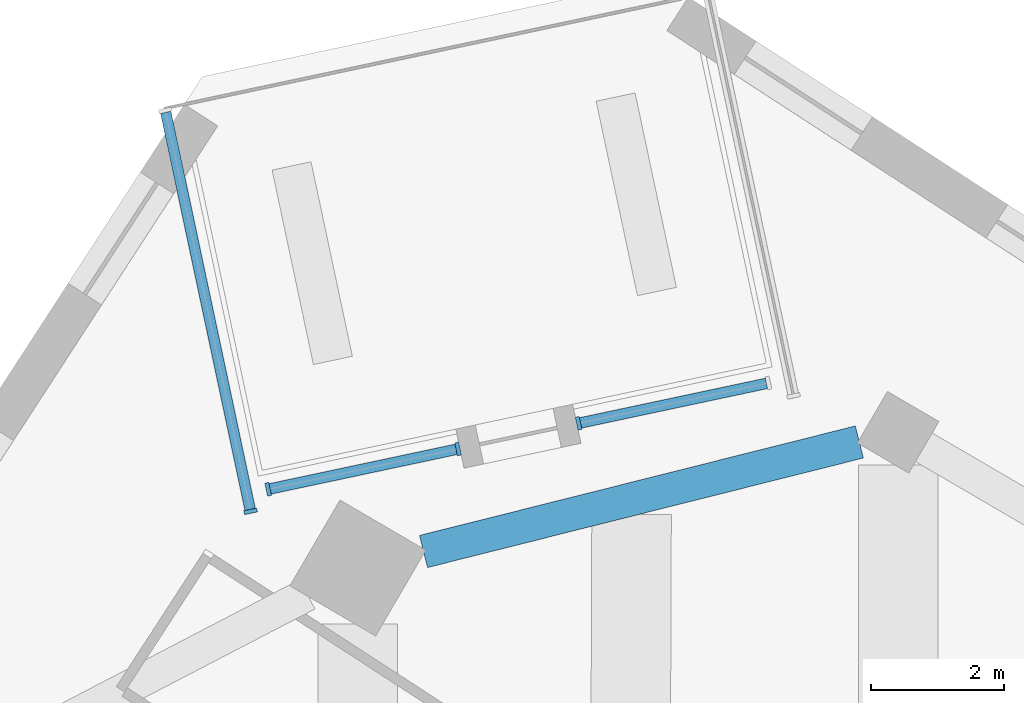
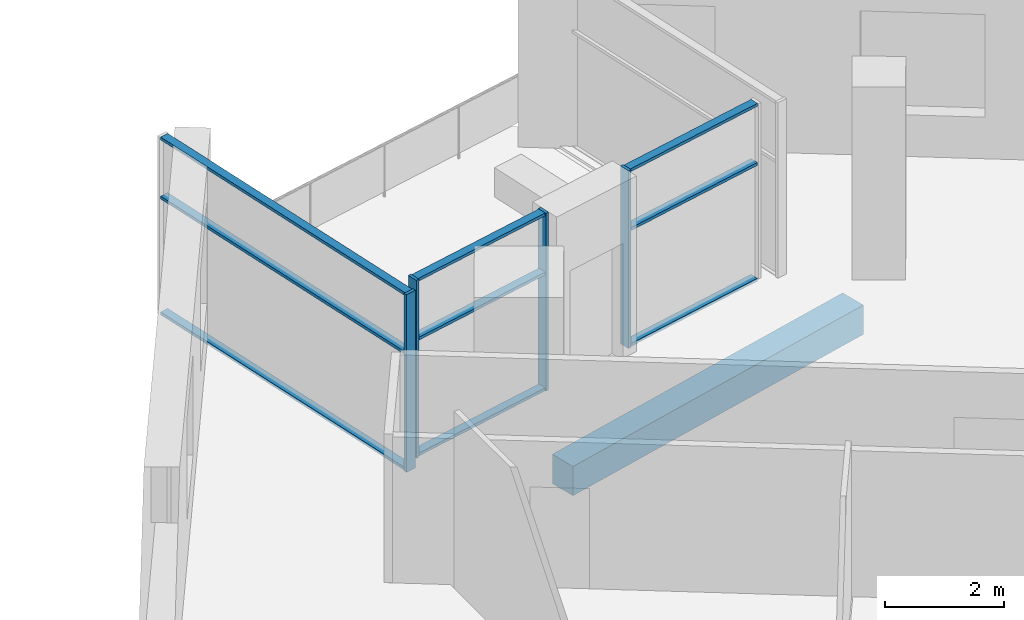
# One storey, part 2 of 12: 13 members, 1 beam, 3 elements without a shape of their own.
"""IFC4 building model written with IfcOpenShell, lengths in metres."""

from ifc_helpers import new_model, si_unit, direction, frame, origin, origin_2d, place, context, subcontext, project, spatial, rectangle, extrude, material, material_profile, profile_set, type_object, element, aggregate, save


model = new_model("IFC4")

# Units and contexts
model_context = context("Model", 3, precision=1e-05, world=origin(), true_north=direction((0.0, 1.0)))
body_context = subcontext(model_context, "Body", "Model", "MODEL_VIEW")
ifc_project = project(units=[si_unit("LENGTHUNIT", "METRE"), si_unit("AREAUNIT", "SQUARE_METRE"), si_unit("VOLUMEUNIT", "CUBIC_METRE"), si_unit("PLANEANGLEUNIT", "RADIAN"), si_unit("MASSUNIT", "GRAM", prefix="KILO")], contexts=[model_context])

# Site, building, storey
site_placement = place(None, origin())
site = spatial("IfcSite", under=ifc_project, at=site_placement, CompositionType="ELEMENT")
building_placement = place(site_placement, origin())
building = spatial("IfcBuilding", under=site, at=building_placement, Name="Dilmun Exchange Tower", CompositionType="ELEMENT")
storey_placement = place(building_placement, frame((0.0, 0.0, 258.89990234375)))
storey = spatial("IfcBuildingStorey", under=building, at=storey_placement, Name="L61", CompositionType="ELEMENT", Elevation=258.89990234375)

# Curtain wall, member
ifc_material_1 = material(Name="Anodised aluminium and clear glass", Category="aluminium")
curtain_wall_type = type_object("IfcCurtainWallType", Name="Garden corner glazing", PredefinedType="NOTDEFINED", material=ifc_material_1)
curtain_wall_1_placement = place(storey_placement, origin())
curtain_wall_1 = element("IfcCurtainWall", 1, at=curtain_wall_1_placement, inside=storey, type_object=curtain_wall_type, Name="Garden corner glazing run GC2.1", PredefinedType="NOTDEFINED")
ifc_material_2 = material(Name="Anodised aluminium", Category="aluminium")
ifc_material_profile_1 = material_profile(ifc_material_2, rectangle(XDim=0.199951171875, YDim=0.06005859375, at=origin_2d()), Name="AL 60x200")
ifc_profile_set_1 = profile_set([ifc_material_profile_1], Name="Anodised aluminium")
member_type_1 = type_object("IfcMemberType", Name="Garden corner glazing mullion 60 x 200", PredefinedType="MULLION", material=ifc_profile_set_1)
member_1_placement = place(storey_placement, frame((-0.582763671875, 28.640869140625, 0.0), z_axis=(0.0, 0.0, 1.0), x_axis=(0.207888364437, -0.978152558618, 0.0)))
member_1 = element("IfcMember", 2, at=member_1_placement, type_object=member_type_1, Name="GC2.1 mullion 2", PredefinedType="MULLION", context=body_context, shape_type="SweptSolid", body=[
    extrude(rectangle(XDim=0.199951171875, YDim=0.06005859375, at=origin_2d()), origin(), (0.0, 0.0, 1.0), 3.64013671875),
])

# Curtain wall, members
curtain_wall_2_placement = place(storey_placement, origin())
curtain_wall_2 = element("IfcCurtainWall", 3, at=curtain_wall_2_placement, inside=storey, type_object=curtain_wall_type, Name="Garden corner glazing run GC2.3", PredefinedType="NOTDEFINED")
member_2_placement = place(storey_placement, frame((-2.402099609375, 28.254150390625, 0.0), z_axis=(0.0, 0.0, 1.0), x_axis=(0.207888364437, -0.978152558618, 0.0)))
member_2 = element("IfcMember", 4, at=member_2_placement, type_object=member_type_1, Name="GC2.3 mullion 1", PredefinedType="MULLION", context=body_context, shape_type="SweptSolid", body=[
    extrude(rectangle(XDim=0.199951171875, YDim=0.06005859375, at=origin_2d()), origin(), (0.0, 0.0, 1.0), 3.64013671875),
])
member_3_placement = place(storey_placement, frame((-5.26708984375, 27.64501953125, 0.0), z_axis=(0.0, 0.0, 1.0), x_axis=(0.207888364437, -0.978152558618, 0.0)))
member_3 = element("IfcMember", 5, at=member_3_placement, type_object=member_type_1, Name="GC2.3 mullion 2", PredefinedType="MULLION", context=body_context, shape_type="SweptSolid", body=[
    extrude(rectangle(XDim=0.199951171875, YDim=0.06005859375, at=origin_2d()), origin(), (0.0, 0.0, 1.0), 3.64013671875),
])

# Curtain wall, member
curtain_wall_3_placement = place(storey_placement, origin())
curtain_wall_3 = element("IfcCurtainWall", 6, at=curtain_wall_3_placement, inside=storey, type_object=curtain_wall_type, Name="Garden corner glazing run GC3.1", PredefinedType="NOTDEFINED")
member_4_placement = place(storey_placement, frame((-5.533935546875, 27.3125, 0.0), z_axis=(0.0, 0.0, 1.0), x_axis=(-0.978147579121, -0.207911792498, 0.0)))
member_4 = element("IfcMember", 7, at=member_4_placement, type_object=member_type_1, Name="GC3.1 mullion 1", PredefinedType="MULLION", context=body_context, shape_type="SweptSolid", body=[
    extrude(rectangle(XDim=0.199951171875, YDim=0.06005859375, at=origin_2d()), origin(), (0.0, 0.0, 1.0), 3.64013671875),
])

# Member
ifc_material_profile_2 = material_profile(ifc_material_2, rectangle(XDim=0.159912109375, YDim=0.06005859375, at=origin_2d()), Name="AL 60x160")
ifc_profile_set_2 = profile_set([ifc_material_profile_2], Name="Anodised aluminium")
member_type_2 = type_object("IfcMemberType", Name="Garden corner glazing transom 60 x 160", PredefinedType="USERDEFINED", material=ifc_profile_set_2)
member_5_placement = place(storey_placement, frame((2.2529296875, 29.243408203125, 0.030029296875), z_axis=(-0.978153443968, -0.207884198662, 0.0), x_axis=(0.207884198662, -0.978153443968, 0.0)))
member_5 = element("IfcMember", 8, at=member_5_placement, type_object=member_type_2, Name="GC2.1 transom 1.1", ObjectType="TRANSOM", PredefinedType="USERDEFINED", context=body_context, shape_type="SweptSolid", body=[
    extrude(rectangle(XDim=0.159912109375, YDim=0.06005859375, at=origin_2d()), origin(), (0.0, 0.0, 1.0), 2.869140625),
])

member_6_placement = place(storey_placement, frame((2.2529296875, 29.243408203125, 2.400146484375), z_axis=(-0.978153443968, -0.207884198662, 0.0), x_axis=(0.207884198662, -0.978153443968, 0.0)))
member_6 = element("IfcMember", 9, at=member_6_placement, type_object=member_type_2, Name="GC2.1 transom 1.2", ObjectType="TRANSOM", PredefinedType="USERDEFINED", context=body_context, shape_type="SweptSolid", body=[
    extrude(rectangle(XDim=0.159912109375, YDim=0.06005859375, at=origin_2d()), origin(), (0.0, 0.0, 1.0), 2.869140625),
])

member_7_placement = place(storey_placement, frame((2.2529296875, 29.243408203125, 3.610107421875), z_axis=(-0.978153443968, -0.207884198662, 0.0), x_axis=(0.207884198662, -0.978153443968, 0.0)))
member_7 = element("IfcMember", 10, at=member_7_placement, type_object=member_type_2, Name="GC2.1 transom 1.3", ObjectType="TRANSOM", PredefinedType="USERDEFINED", context=body_context, shape_type="SweptSolid", body=[
    extrude(rectangle(XDim=0.159912109375, YDim=0.06005859375, at=origin_2d()), origin(), (0.0, 0.0, 1.0), 2.869140625),
])

aggregate(curtain_wall_1, [member_1, member_5, member_6, member_7])

member_8_placement = place(storey_placement, frame((-2.431396484375, 28.247802734375, 0.030029296875), z_axis=(-0.978153443968, -0.207884198662, 0.0), x_axis=(0.207884198662, -0.978153443968, 0.0)))
member_8 = element("IfcMember", 11, at=member_8_placement, type_object=member_type_2, Name="GC2.3 transom 1.1", ObjectType="TRANSOM", PredefinedType="USERDEFINED", context=body_context, shape_type="SweptSolid", body=[
    extrude(rectangle(XDim=0.159912109375, YDim=0.06005859375, at=origin_2d()), origin(), (0.0, 0.0, 1.0), 2.869140625),
])

member_9_placement = place(storey_placement, frame((-2.431396484375, 28.247802734375, 2.400146484375), z_axis=(-0.978153443968, -0.207884198662, 0.0), x_axis=(0.207884198662, -0.978153443968, 0.0)))
member_9 = element("IfcMember", 12, at=member_9_placement, type_object=member_type_2, Name="GC2.3 transom 1.2", ObjectType="TRANSOM", PredefinedType="USERDEFINED", context=body_context, shape_type="SweptSolid", body=[
    extrude(rectangle(XDim=0.159912109375, YDim=0.06005859375, at=origin_2d()), origin(), (0.0, 0.0, 1.0), 2.869140625),
])

member_10_placement = place(storey_placement, frame((-2.431396484375, 28.247802734375, 3.610107421875), z_axis=(-0.978153443968, -0.207884198662, 0.0), x_axis=(0.207884198662, -0.978153443968, 0.0)))
member_10 = element("IfcMember", 13, at=member_10_placement, type_object=member_type_2, Name="GC2.3 transom 1.3", ObjectType="TRANSOM", PredefinedType="USERDEFINED", context=body_context, shape_type="SweptSolid", body=[
    extrude(rectangle(XDim=0.159912109375, YDim=0.06005859375, at=origin_2d()), origin(), (0.0, 0.0, 1.0), 2.869140625),
])

aggregate(curtain_wall_2, [member_2, member_3, member_8, member_9, member_10])

member_11_placement = place(storey_placement, frame((-5.5400390625, 27.341796875, 0.030029296875), z_axis=(-0.207904034352, 0.978149228134, 0.0), x_axis=(-0.978149228134, -0.207904034352, 0.0)))
member_11 = element("IfcMember", 14, at=member_11_placement, type_object=member_type_2, Name="GC3.1 transom 1.1", ObjectType="TRANSOM", PredefinedType="USERDEFINED", context=body_context, shape_type="SweptSolid", body=[
    extrude(rectangle(XDim=0.159912109375, YDim=0.06005859375, at=origin_2d()), origin(), (0.0, 0.0, 1.0), 6.126220703125),
])

member_12_placement = place(storey_placement, frame((-5.5400390625, 27.341796875, 2.400146484375), z_axis=(-0.207904034352, 0.978149228134, 0.0), x_axis=(-0.978149228134, -0.207904034352, 0.0)))
member_12 = element("IfcMember", 15, at=member_12_placement, type_object=member_type_2, Name="GC3.1 transom 1.2", ObjectType="TRANSOM", PredefinedType="USERDEFINED", context=body_context, shape_type="SweptSolid", body=[
    extrude(rectangle(XDim=0.159912109375, YDim=0.06005859375, at=origin_2d()), origin(), (0.0, 0.0, 1.0), 6.126220703125),
])

member_13_placement = place(storey_placement, frame((-5.5400390625, 27.341796875, 3.610107421875), z_axis=(-0.207904034352, 0.978149228134, 0.0), x_axis=(-0.978149228134, -0.207904034352, 0.0)))
member_13 = element("IfcMember", 16, at=member_13_placement, type_object=member_type_2, Name="GC3.1 transom 1.3", ObjectType="TRANSOM", PredefinedType="USERDEFINED", context=body_context, shape_type="SweptSolid", body=[
    extrude(rectangle(XDim=0.159912109375, YDim=0.06005859375, at=origin_2d()), origin(), (0.0, 0.0, 1.0), 6.126220703125),
])

aggregate(curtain_wall_3, [member_4, member_11, member_12, member_13])

# Beam
ifc_material_3 = material(Name="Concrete C40/50", Category="concrete")
ifc_material_profile_3 = material_profile(ifc_material_3, rectangle(XDim=0.5, YDim=0.60009765625, at=origin_2d()), Name="500 x 600")
ifc_profile_set_3 = profile_set([ifc_material_profile_3], Name="Concrete C40/50")
beam_type = type_object("IfcBeamType", Name="RC ring beam 500 x 600 C40/50", PredefinedType="SPANDREL", material=ifc_profile_set_3)
beam_placement = place(storey_placement, frame((3.6552734375, 28.359130859375, -0.659912109375), z_axis=(-0.969853854997, -0.243687299522, 0.0), x_axis=(0.243687299522, -0.969853854997, 0.0)))
element("IfcBeam", 17, at=beam_placement, inside=storey, type_object=beam_type, Name="Ring beam 16", PredefinedType="SPANDREL", context=body_context, shape_type="SweptSolid", body=[
    extrude(rectangle(XDim=0.5, YDim=0.60009765625, at=origin_2d()), origin(), (0.0, 0.0, 1.0), 6.78271484375),
])

save(model, "model.ifc")
